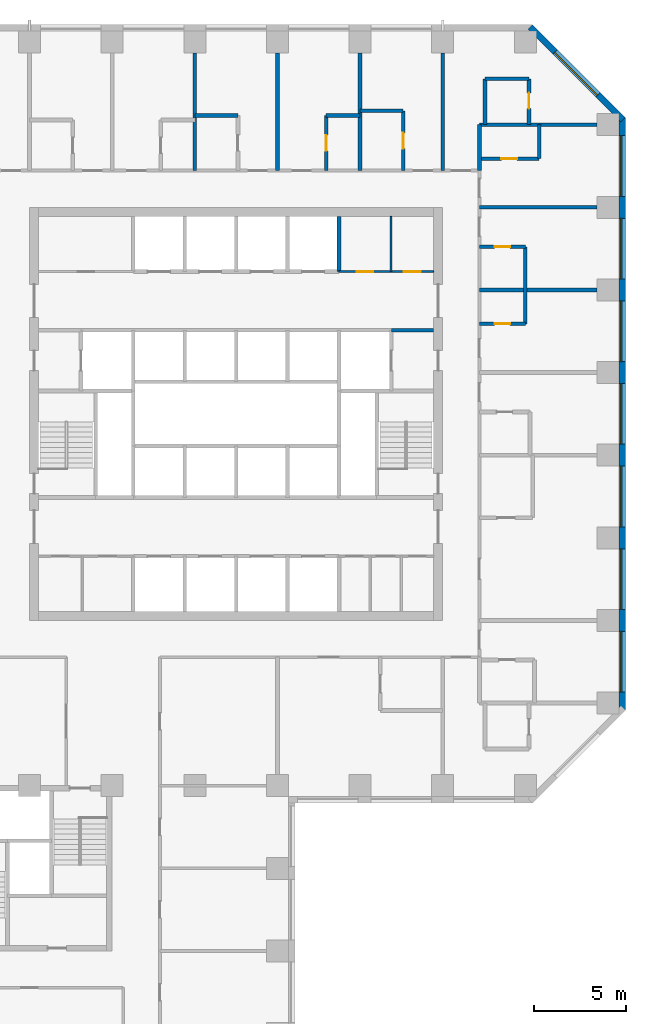
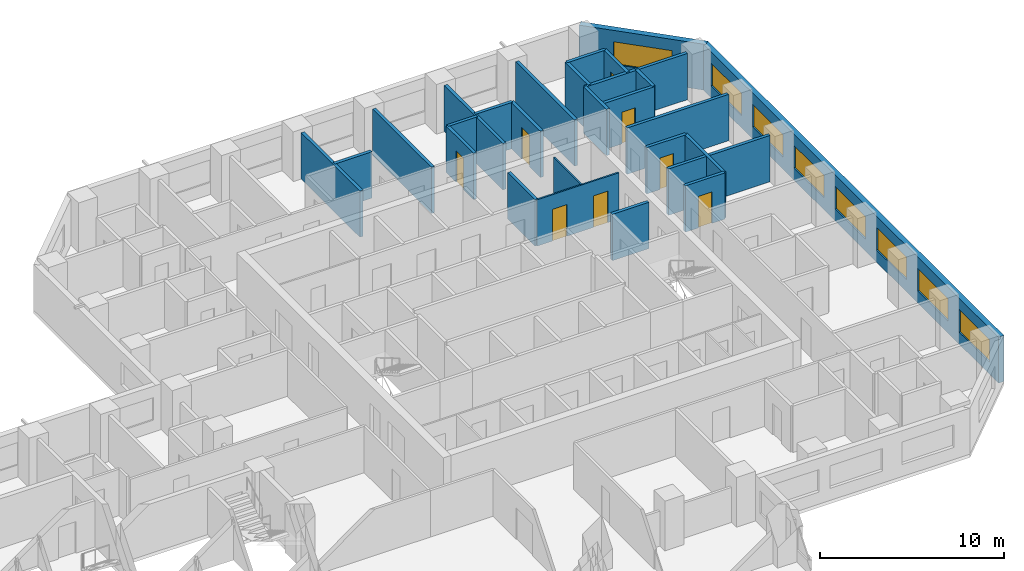
# One storey, part 10 of 13: 27 walls, 8 doors, 8 windows, 16 openings.
"""IFC4 building model written with IfcOpenShell, lengths in metres."""

from ifc_helpers import new_model, si_unit, direction, frame, frame_2d, origin, place, context, subcontext, project, spatial, rectangle, extrude, material, layer, layer_set, constituent, constituent_set, type_object, element, fill, save


model = new_model("IFC4")

# Units and contexts
model_context = context("Model", 3, precision=1e-05, world=origin(), true_north=direction((0.0, 1.0)))
body_context = subcontext(model_context, "Body", "Model", "MODEL_VIEW")
ifc_project = project(units=[si_unit("LENGTHUNIT", "METRE"), si_unit("AREAUNIT", "SQUARE_METRE"), si_unit("VOLUMEUNIT", "CUBIC_METRE"), si_unit("PLANEANGLEUNIT", "RADIAN"), si_unit("MASSUNIT", "GRAM", prefix="KILO")], contexts=[model_context])

# Site, building, storey
site_placement = place(None, origin())
site = spatial("IfcSite", under=ifc_project, at=site_placement, CompositionType="ELEMENT")
building_placement = place(site_placement, origin())
building = spatial("IfcBuilding", under=site, at=building_placement, Name="Quoin Convention Tower", CompositionType="ELEMENT")
storey_placement = place(building_placement, frame((0.0, 0.0, 23.10009765625)))
storey = spatial("IfcBuildingStorey", under=building, at=storey_placement, Name="L04", CompositionType="ELEMENT", Elevation=23.10009765625)

# Wall, openings, windows
ifc_material_1 = material(Name="Brick masonry", Category="masonry")
ifc_layer_1 = layer(ifc_material_1, 0.35009765625)
ifc_layer_set_1 = layer_set([ifc_layer_1], Name="Brick masonry")
wall_type_1 = type_object("IfcWallType", Name="Brick facade wall", PredefinedType="STANDARD", material=ifc_layer_set_1)
wall_1_placement = place(storey_placement, frame((77.27490234375, 44.6064453125, 0.0), z_axis=(0.0, 0.0, 1.0), x_axis=(0.0, 1.0, 0.0)))
wall_1 = element("IfcWall", 1, at=wall_1_placement, inside=storey, type_object=wall_type_1, Name="fw-L04-76500_45000", PredefinedType="STANDARD", context=body_context, shape_type="SweptSolid", body=[
    extrude(rectangle(XDim=32.287109375, YDim=0.35009765625, at=frame_2d((16.1435546875, 0.0))), origin(), (0.0, 0.0, 1.0), 3.054931640625),
])
opening_1_placement = place(wall_1_placement, frame((0.993408203125, 0.0, 0.800048828125)))
opening_1 = element("IfcOpeningElement", 2, at=opening_1_placement, cuts=wall_1, Name="Opening W-01", PredefinedType="OPENING", context=body_context, shape_type="SweptSolid", body=[
    extrude(rectangle(XDim=3.300048828125, YDim=1.5, at=frame_2d((1.64990234375, 0.75))), frame((0.0, 0.18505859375, 0.0), z_axis=(0.0, -1.0, 0.0), x_axis=(1.0, 0.0, 0.0)), (0.0, 0.0, 1.0), 0.3701171875),
])
opening_2_placement = place(wall_1_placement, frame((5.493408203125, 0.0, 0.800048828125)))
opening_2 = element("IfcOpeningElement", 3, at=opening_2_placement, cuts=wall_1, Name="Opening W-01", PredefinedType="OPENING", context=body_context, shape_type="SweptSolid", body=[
    extrude(rectangle(XDim=3.300048828125, YDim=1.5, at=frame_2d((1.64990234375, 0.75))), frame((0.0, 0.18505859375, 0.0), z_axis=(0.0, -1.0, 0.0), x_axis=(1.0, 0.0, 0.0)), (0.0, 0.0, 1.0), 0.3701171875),
])
opening_3_placement = place(wall_1_placement, frame((9.993408203125, 0.0, 0.800048828125)))
opening_3 = element("IfcOpeningElement", 4, at=opening_3_placement, cuts=wall_1, Name="Opening W-01", PredefinedType="OPENING", context=body_context, shape_type="SweptSolid", body=[
    extrude(rectangle(XDim=3.300048828125, YDim=1.5, at=frame_2d((1.64990234375, 0.75))), frame((0.0, 0.18505859375, 0.0), z_axis=(0.0, -1.0, 0.0), x_axis=(1.0, 0.0, 0.0)), (0.0, 0.0, 1.0), 0.3701171875),
])
opening_4_placement = place(wall_1_placement, frame((14.493408203125, 0.0, 0.800048828125)))
opening_4 = element("IfcOpeningElement", 5, at=opening_4_placement, cuts=wall_1, Name="Opening W-01", PredefinedType="OPENING", context=body_context, shape_type="SweptSolid", body=[
    extrude(rectangle(XDim=3.300048828125, YDim=1.5, at=frame_2d((1.64990234375, 0.75))), frame((0.0, 0.18505859375, 0.0), z_axis=(0.0, -1.0, 0.0), x_axis=(1.0, 0.0, 0.0)), (0.0, 0.0, 1.0), 0.3701171875),
])
opening_5_placement = place(wall_1_placement, frame((18.993408203125, 0.0, 0.800048828125)))
opening_5 = element("IfcOpeningElement", 6, at=opening_5_placement, cuts=wall_1, Name="Opening W-01", PredefinedType="OPENING", context=body_context, shape_type="SweptSolid", body=[
    extrude(rectangle(XDim=3.300048828125, YDim=1.5, at=frame_2d((1.64990234375, 0.75))), frame((0.0, 0.18505859375, 0.0), z_axis=(0.0, -1.0, 0.0), x_axis=(1.0, 0.0, 0.0)), (0.0, 0.0, 1.0), 0.3701171875),
])
opening_6_placement = place(wall_1_placement, frame((23.493408203125, 0.0, 0.800048828125)))
opening_6 = element("IfcOpeningElement", 7, at=opening_6_placement, cuts=wall_1, Name="Opening W-01", PredefinedType="OPENING", context=body_context, shape_type="SweptSolid", body=[
    extrude(rectangle(XDim=3.300048828125, YDim=1.5, at=frame_2d((1.64990234375, 0.75))), frame((0.0, 0.18505859375, 0.0), z_axis=(0.0, -1.0, 0.0), x_axis=(1.0, 0.0, 0.0)), (0.0, 0.0, 1.0), 0.3701171875),
])
opening_7_placement = place(wall_1_placement, frame((27.993408203125, 0.0, 0.800048828125)))
opening_7 = element("IfcOpeningElement", 8, at=opening_7_placement, cuts=wall_1, Name="Opening W-01", PredefinedType="OPENING", context=body_context, shape_type="SweptSolid", body=[
    extrude(rectangle(XDim=3.300048828125, YDim=1.5, at=frame_2d((1.64990234375, 0.75))), frame((0.0, 0.18505859375, 0.0), z_axis=(0.0, -1.0, 0.0), x_axis=(1.0, 0.0, 0.0)), (0.0, 0.0, 1.0), 0.3701171875),
])
ifc_material_2 = material(Name="Aluminium", Category="aluminium")
ifc_constituent_1 = constituent(ifc_material_2, Name="Frame")
ifc_material_3 = material(Name="Insulated glass", Category="glass")
ifc_constituent_2 = constituent(ifc_material_3, Name="Glazing")
ifc_constituent_set = constituent_set(constituents=[ifc_constituent_1, ifc_constituent_2], Name="Aluminium")
window_type = type_object("IfcWindowType", Name="Hotel strip window", PartitioningType="DOUBLE_PANEL_VERTICAL", PredefinedType="WINDOW", material=ifc_constituent_set)
window_1_placement = place(opening_1_placement, origin())
window_1 = element("IfcWindow", 9, at=window_1_placement, inside=storey, type_object=window_type, Name="win-L04-77275_47250", OverallHeight=1.5, OverallWidth=3.300048828125, PartitioningType="SINGLE_PANEL", PredefinedType="WINDOW", context=body_context, shape_type="SweptSolid", body=[
    extrude(rectangle(XDim=3.300048828125, YDim=1.5, at=frame_2d((1.64990234375, 0.75))), frame((0.0, 0.0849609375, 0.0), z_axis=(0.0, -1.0, 0.0), x_axis=(1.0, 0.0, 0.0)), (0.0, 0.0, 1.0), 0.06005859375),
])
fill(opening_1, window_1)
window_2_placement = place(opening_2_placement, origin())
window_2 = element("IfcWindow", 10, at=window_2_placement, inside=storey, type_object=window_type, Name="win-L04-77275_51750", OverallHeight=1.5, OverallWidth=3.300048828125, PartitioningType="SINGLE_PANEL", PredefinedType="WINDOW", context=body_context, shape_type="SweptSolid", body=[
    extrude(rectangle(XDim=3.300048828125, YDim=1.5, at=frame_2d((1.64990234375, 0.75))), frame((0.0, 0.0849609375, 0.0), z_axis=(0.0, -1.0, 0.0), x_axis=(1.0, 0.0, 0.0)), (0.0, 0.0, 1.0), 0.06005859375),
])
fill(opening_2, window_2)
window_3_placement = place(opening_3_placement, origin())
window_3 = element("IfcWindow", 11, at=window_3_placement, inside=storey, type_object=window_type, Name="win-L04-77275_56250", OverallHeight=1.5, OverallWidth=3.300048828125, PartitioningType="SINGLE_PANEL", PredefinedType="WINDOW", context=body_context, shape_type="SweptSolid", body=[
    extrude(rectangle(XDim=3.300048828125, YDim=1.5, at=frame_2d((1.64990234375, 0.75))), frame((0.0, 0.0849609375, 0.0), z_axis=(0.0, -1.0, 0.0), x_axis=(1.0, 0.0, 0.0)), (0.0, 0.0, 1.0), 0.06005859375),
])
fill(opening_3, window_3)
window_4_placement = place(opening_4_placement, origin())
window_4 = element("IfcWindow", 12, at=window_4_placement, inside=storey, type_object=window_type, Name="win-L04-77275_60750", OverallHeight=1.5, OverallWidth=3.300048828125, PartitioningType="SINGLE_PANEL", PredefinedType="WINDOW", context=body_context, shape_type="SweptSolid", body=[
    extrude(rectangle(XDim=3.300048828125, YDim=1.5, at=frame_2d((1.64990234375, 0.75))), frame((0.0, 0.0849609375, 0.0), z_axis=(0.0, -1.0, 0.0), x_axis=(1.0, 0.0, 0.0)), (0.0, 0.0, 1.0), 0.06005859375),
])
fill(opening_4, window_4)
window_5_placement = place(opening_5_placement, origin())
window_5 = element("IfcWindow", 13, at=window_5_placement, inside=storey, type_object=window_type, Name="win-L04-77275_65250", OverallHeight=1.5, OverallWidth=3.300048828125, PartitioningType="SINGLE_PANEL", PredefinedType="WINDOW", context=body_context, shape_type="SweptSolid", body=[
    extrude(rectangle(XDim=3.300048828125, YDim=1.5, at=frame_2d((1.64990234375, 0.75))), frame((0.0, 0.0849609375, 0.0), z_axis=(0.0, -1.0, 0.0), x_axis=(1.0, 0.0, 0.0)), (0.0, 0.0, 1.0), 0.06005859375),
])
fill(opening_5, window_5)
window_6_placement = place(opening_6_placement, origin())
window_6 = element("IfcWindow", 14, at=window_6_placement, inside=storey, type_object=window_type, Name="win-L04-77275_69750", OverallHeight=1.5, OverallWidth=3.300048828125, PartitioningType="SINGLE_PANEL", PredefinedType="WINDOW", context=body_context, shape_type="SweptSolid", body=[
    extrude(rectangle(XDim=3.300048828125, YDim=1.5, at=frame_2d((1.64990234375, 0.75))), frame((0.0, 0.0849609375, 0.0), z_axis=(0.0, -1.0, 0.0), x_axis=(1.0, 0.0, 0.0)), (0.0, 0.0, 1.0), 0.06005859375),
])
fill(opening_6, window_6)
window_7_placement = place(opening_7_placement, origin())
window_7 = element("IfcWindow", 15, at=window_7_placement, inside=storey, type_object=window_type, Name="win-L04-77275_74250", OverallHeight=1.5, OverallWidth=3.300048828125, PartitioningType="SINGLE_PANEL", PredefinedType="WINDOW", context=body_context, shape_type="SweptSolid", body=[
    extrude(rectangle(XDim=3.300048828125, YDim=1.5, at=frame_2d((1.64990234375, 0.75))), frame((0.0, 0.0849609375, 0.0), z_axis=(0.0, -1.0, 0.0), x_axis=(1.0, 0.0, 0.0)), (0.0, 0.0, 1.0), 0.06005859375),
])
fill(opening_7, window_7)

# Wall, opening, window
wall_2_placement = place(storey_placement, frame((77.326416015625, 76.769775390625, 0.0), z_axis=(0.0, 0.0, 1.0), x_axis=(-0.707106781187, 0.707106781187, 0.0)))
wall_2 = element("IfcWall", 16, at=wall_2_placement, inside=storey, type_object=wall_type_1, Name="fw-L04-76500_76500", PredefinedType="STANDARD", context=body_context, shape_type="SweptSolid", body=[
    extrude(rectangle(XDim=7.151123046875, YDim=0.35009765625, at=frame_2d((3.57568359375, 0.0))), origin(), (0.0, 0.0, 1.0), 3.054931640625),
])
opening_8_placement = place(wall_2_placement, frame((1.925537109375, 0.0, 0.800048828125)))
opening_8 = element("IfcOpeningElement", 17, at=opening_8_placement, cuts=wall_2, Name="Opening W-01", PredefinedType="OPENING", context=body_context, shape_type="SweptSolid", body=[
    extrude(rectangle(XDim=3.300048828125, YDim=1.5, at=frame_2d((1.64990234375, 0.75))), frame((0.0, 0.18505859375, 0.0), z_axis=(0.0, -1.0, 0.0), x_axis=(1.0, 0.0, 0.0)), (0.0, 0.0, 1.0), 0.3701171875),
])
window_8_placement = place(opening_8_placement, origin())
window_8 = element("IfcWindow", 18, at=window_8_placement, inside=storey, type_object=window_type, Name="win-L04-74798_79298", OverallHeight=1.5, OverallWidth=3.300048828125, PartitioningType="SINGLE_PANEL", PredefinedType="WINDOW", context=body_context, shape_type="SweptSolid", body=[
    extrude(rectangle(XDim=3.300048828125, YDim=1.5, at=frame_2d((1.64990234375, 0.75))), frame((0.0, 0.0849609375, 0.0), z_axis=(0.0, -1.0, 0.0), x_axis=(1.0, 0.0, 0.0)), (0.0, 0.0, 1.0), 0.06005859375),
])
fill(opening_8, window_8)

# Wall, openings, doors
ifc_material_4 = material(Name="Plasterboard")
ifc_layer_2 = layer(ifc_material_4, 0.012451171875, Name="Finish")
ifc_material_5 = material(Name="Steel stud framing", Category="steel")
ifc_layer_3 = layer(ifc_material_5, 0.074951171875, Name="Structure")
ifc_layer_4 = layer(ifc_material_4, 0.012451171875, Name="Finish")
ifc_layer_set_2 = layer_set([ifc_layer_2, ifc_layer_3, ifc_layer_4], Name="Steel stud framing")
wall_type_2 = type_object("IfcWallType", Name="Core partition wall", PredefinedType="PARTITIONING", material=ifc_layer_set_2)
wall_3_placement = place(storey_placement, frame((61.85009765625, 68.5, 0.0), z_axis=(0.0, 0.0, 1.0), x_axis=(1.0, 0.0, 0.0)))
wall_3 = element("IfcWall", 19, at=wall_3_placement, inside=storey, type_object=wall_type_2, Name="cr-C1-L04-h19000_16850", PredefinedType="PARTITIONING", context=body_context, shape_type="SweptSolid", body=[
    extrude(rectangle(XDim=5.14990234375, YDim=0.10009765625, at=frame_2d((2.574951171875, 0.0))), origin(), (0.0, 0.0, 1.0), 3.079833984375),
])
opening_9_placement = place(wall_3_placement, frame((3.541259765625, 0.0, 0.0)))
opening_9 = element("IfcOpeningElement", 20, at=opening_9_placement, cuts=wall_3, Name="Opening DCV2-03", PredefinedType="OPENING", context=body_context, shape_type="SweptSolid", body=[
    extrude(rectangle(XDim=0.89990234375, YDim=2.10009765625, at=frame_2d((0.449951171875, 1.050048828125))), frame((0.0, 0.06005859375, 0.0), z_axis=(0.0, -1.0, 0.0), x_axis=(1.0, 0.0, 0.0)), (0.0, 0.0, 1.0), 0.1201171875),
])
opening_10_placement = place(wall_3_placement, frame((0.96630859375, 0.0, 0.0)))
opening_10 = element("IfcOpeningElement", 21, at=opening_10_placement, cuts=wall_3, Name="Opening DCV2-01", PredefinedType="OPENING", context=body_context, shape_type="SweptSolid", body=[
    extrude(rectangle(XDim=0.89990234375, YDim=2.10009765625, at=frame_2d((0.449951171875, 1.050048828125))), frame((0.0, 0.06005859375, 0.0), z_axis=(0.0, -1.0, 0.0), x_axis=(1.0, 0.0, 0.0)), (0.0, 0.0, 1.0), 0.1201171875),
])
ifc_material_6 = material(Name="Steel door leaf", Category="steel")
door_type_1 = type_object("IfcDoorType", Name="Core room door 900 x 2100", OperationType="SINGLE_SWING_LEFT", PredefinedType="DOOR", material=ifc_material_6)
door_1_placement = place(opening_9_placement, origin())
door_1 = element("IfcDoor", 22, at=door_1_placement, inside=storey, type_object=door_type_1, Name="cd-C1-L04-CNE0-lobB-CD0407", OperationType="SINGLE_SWING_RIGHT", OverallHeight=2.10009765625, OverallWidth=0.89990234375, PredefinedType="DOOR", context=body_context, shape_type="SweptSolid", body=[
    extrude(rectangle(XDim=0.89990234375, YDim=2.10009765625, at=frame_2d((0.449951171875, 1.050048828125))), frame((0.0, 0.02490234375, 0.0), z_axis=(0.0, -1.0, 0.0), x_axis=(1.0, 0.0, 0.0)), (0.0, 0.0, 1.0), 0.050048828125),
])
fill(opening_9, door_1)
door_2_placement = place(opening_10_placement, origin())
door_2 = element("IfcDoor", 23, at=door_2_placement, inside=storey, type_object=door_type_1, Name="cd-C1-L04-CNE1-lobB-CD0408", OperationType="SINGLE_SWING_LEFT", OverallHeight=2.10009765625, OverallWidth=0.89990234375, PredefinedType="DOOR", context=body_context, shape_type="SweptSolid", body=[
    extrude(rectangle(XDim=0.89990234375, YDim=2.10009765625, at=frame_2d((0.449951171875, 1.050048828125))), frame((0.0, 0.02490234375, 0.0), z_axis=(0.0, -1.0, 0.0), x_axis=(1.0, 0.0, 0.0)), (0.0, 0.0, 1.0), 0.050048828125),
])
fill(opening_10, door_2)

# Walls
wall_4_placement = place(storey_placement, frame((64.6826171875, 68.5, 0.0), z_axis=(0.0, 0.0, 1.0), x_axis=(0.0, 1.0, 0.0)))
element("IfcWall", 24, at=wall_4_placement, inside=storey, type_object=wall_type_2, Name="cr-C1-L04-v19682_19000", PredefinedType="PARTITIONING", context=body_context, shape_type="SweptSolid", body=[
    extrude(rectangle(XDim=3.0, YDim=0.10009765625, at=frame_2d((1.5, 0.0))), origin(), (0.0, 0.0, 1.0), 3.079833984375),
])
ifc_material_7 = material(Name="Concrete C50", Category="concrete")
ifc_layer_5 = layer(ifc_material_7, 0.199951171875)
ifc_layer_set_3 = layer_set([ifc_layer_5], Name="Concrete C50")
wall_type_3 = type_object("IfcWallType", Name="Core shaft wall", PredefinedType="SOLIDWALL", material=ifc_layer_set_3)
wall_5_placement = place(storey_placement, frame((64.699951171875, 65.300048828125, 0.0), z_axis=(0.0, 0.0, 1.0), x_axis=(1.0, 0.0, 0.0)))
element("IfcWall", 25, at=wall_5_placement, inside=storey, type_object=wall_type_3, Name="cr-C1-L04-h15800_19700", PredefinedType="SOLIDWALL", context=body_context, shape_type="SweptSolid", body=[
    extrude(rectangle(XDim=2.300048828125, YDim=0.199951171875, at=frame_2d((1.14990234375, 0.0))), origin(), (0.0, 0.0, 1.0), 3.079833984375),
])
wall_6_placement = place(storey_placement, frame((61.85009765625, 68.5, 0.0), z_axis=(0.0, 0.0, 1.0), x_axis=(0.0, 1.0, 0.0)))
element("IfcWall", 26, at=wall_6_placement, inside=storey, type_object=wall_type_3, Name="cr-C1-L04-v16850_19000", PredefinedType="SOLIDWALL", context=body_context, shape_type="SweptSolid", body=[
    extrude(rectangle(XDim=3.0, YDim=0.199951171875, at=frame_2d((1.5, 0.0))), origin(), (0.0, 0.0, 1.0), 3.079833984375),
])

# Wall, opening, door
ifc_layer_6 = layer(ifc_material_7, 0.199951171875)
ifc_layer_set_4 = layer_set([ifc_layer_6], Name="Concrete C50")
wall_type_4 = type_object("IfcWallType", Name="RC party wall", PredefinedType="SOLIDWALL", material=ifc_layer_set_4)
wall_7_placement = place(storey_placement, frame((69.5, 65.64990234375, 0.0), z_axis=(0.0, 0.0, 1.0), x_axis=(1.0, 0.0, 0.0)))
wall_7 = element("IfcWall", 27, at=wall_7_placement, inside=storey, type_object=wall_type_4, Name="pw-L04-101", PredefinedType="SOLIDWALL", context=body_context, shape_type="SweptSolid", body=[
    extrude(rectangle(XDim=2.5, YDim=0.199951171875, at=frame_2d((1.25, 0.0))), origin(), (0.0, 0.0, 1.0), 3.079833984375),
])
opening_11_placement = place(wall_7_placement, frame((0.824951171875, 0.0, 0.0)))
opening_11 = element("IfcOpeningElement", 28, at=opening_11_placement, cuts=wall_7, Name="Opening DHOTEL-M-62", PredefinedType="OPENING", context=body_context, shape_type="SweptSolid", body=[
    extrude(rectangle(XDim=0.85009765625, YDim=2.10009765625, at=frame_2d((0.425048828125, 1.050048828125))), frame((0.0, 0.10986328125, 0.0), z_axis=(0.0, -1.0, 0.0), x_axis=(1.0, 0.0, 0.0)), (0.0, 0.0, 1.0), 0.219970703125),
])
door_type_2 = type_object("IfcDoorType", Name="Bathroom door", OperationType="SINGLE_SWING_LEFT", PredefinedType="DOOR", material=ifc_material_6)
door_3_placement = place(opening_11_placement, frame((0.85009765625, 0.0, 0.0), z_axis=(0.0, 0.0, 1.0), x_axis=(-1.0, 0.0, 0.0)))
door_3 = element("IfcDoor", 29, at=door_3_placement, inside=storey, type_object=door_type_2, Name="dr-L04-052", OperationType="SINGLE_SWING_RIGHT", OverallHeight=2.10009765625, OverallWidth=0.85009765625, PredefinedType="DOOR", context=body_context, shape_type="SweptSolid", body=[
    extrude(rectangle(XDim=0.85009765625, YDim=2.10009765625, at=frame_2d((0.425048828125, 1.050048828125))), frame((0.0, 0.02490234375, 0.0), z_axis=(0.0, -1.0, 0.0), x_axis=(1.0, 0.0, 0.0)), (0.0, 0.0, 1.0), 0.050048828125),
])
fill(opening_11, door_3)

# Walls
wall_8_placement = place(storey_placement, frame((72.0, 65.64990234375, 0.0), z_axis=(0.0, 0.0, 1.0), x_axis=(0.0, 1.0, 0.0)))
element("IfcWall", 30, at=wall_8_placement, inside=storey, type_object=wall_type_4, Name="pw-L04-102", PredefinedType="SOLIDWALL", context=body_context, shape_type="SweptSolid", body=[
    extrude(rectangle(XDim=4.2001953125, YDim=0.199951171875, at=frame_2d((2.10009765625, 0.0))), origin(), (0.0, 0.0, 1.0), 3.079833984375),
])
wall_9_placement = place(storey_placement, frame((69.5, 67.5, 0.0), z_axis=(0.0, 0.0, 1.0), x_axis=(1.0, 0.0, 0.0)))
element("IfcWall", 31, at=wall_9_placement, inside=storey, type_object=wall_type_4, Name="pw-L04-104", PredefinedType="SOLIDWALL", context=body_context, shape_type="SweptSolid", body=[
    extrude(rectangle(XDim=6.39990234375, YDim=0.199951171875, at=frame_2d((3.199951171875, 0.0))), origin(), (0.0, 0.0, 1.0), 3.079833984375),
])

# Wall, opening, door
wall_10_placement = place(storey_placement, frame((69.5, 69.85009765625, 0.0), z_axis=(0.0, 0.0, 1.0), x_axis=(1.0, 0.0, 0.0)))
wall_10 = element("IfcWall", 32, at=wall_10_placement, inside=storey, type_object=wall_type_4, Name="pw-L04-107", PredefinedType="SOLIDWALL", context=body_context, shape_type="SweptSolid", body=[
    extrude(rectangle(XDim=2.5, YDim=0.199951171875, at=frame_2d((1.25, 0.0))), origin(), (0.0, 0.0, 1.0), 3.079833984375),
])
opening_12_placement = place(wall_10_placement, frame((0.824951171875, 0.0, 0.0)))
opening_12 = element("IfcOpeningElement", 33, at=opening_12_placement, cuts=wall_10, Name="Opening DHOTEL-M-64", PredefinedType="OPENING", context=body_context, shape_type="SweptSolid", body=[
    extrude(rectangle(XDim=0.85009765625, YDim=2.10009765625, at=frame_2d((0.425048828125, 1.050048828125))), frame((0.0, 0.10986328125, 0.0), z_axis=(0.0, -1.0, 0.0), x_axis=(1.0, 0.0, 0.0)), (0.0, 0.0, 1.0), 0.219970703125),
])
door_4_placement = place(opening_12_placement, frame((0.85009765625, 0.0, 0.0), z_axis=(0.0, 0.0, 1.0), x_axis=(-1.0, 0.0, 0.0)))
door_4 = element("IfcDoor", 34, at=door_4_placement, inside=storey, type_object=door_type_2, Name="dr-L04-050", OperationType="SINGLE_SWING_RIGHT", OverallHeight=2.10009765625, OverallWidth=0.85009765625, PredefinedType="DOOR", context=body_context, shape_type="SweptSolid", body=[
    extrude(rectangle(XDim=0.85009765625, YDim=2.10009765625, at=frame_2d((0.425048828125, 1.050048828125))), frame((0.0, 0.02490234375, 0.0), z_axis=(0.0, -1.0, 0.0), x_axis=(1.0, 0.0, 0.0)), (0.0, 0.0, 1.0), 0.050048828125),
])
fill(opening_12, door_4)

# Walls
for number, where, z_axis, x_axis, name in (
    (35, (69.5, 72.0, 0.0), (0.0, 0.0, 1.0), (1.0, 0.0, 0.0), "pw-L04-109"),
    (36, (54.0, 74.0, 0.0), (0.0, 0.0, 1.0), (0.0, 1.0, 0.0), "pw-L04-115"),
    (37, (58.5, 74.0, 0.0), (0.0, 0.0, 1.0), (0.0, 1.0, 0.0), "pw-L04-117"),
):
    element("IfcWall", number, at=place(storey_placement, frame(where, z_axis=z_axis, x_axis=x_axis)), inside=storey, type_object=wall_type_4, Name=name, PredefinedType="SOLIDWALL", context=body_context, shape_type="SweptSolid", body=[
        extrude(rectangle(XDim=6.39990234375, YDim=0.199951171875, at=frame_2d((3.199951171875, 0.0))), origin(), (0.0, 0.0, 1.0), 3.079833984375),
    ])

# Wall, opening, door
wall_11_placement = place(storey_placement, frame((61.14990234375, 74.0, 0.0), z_axis=(0.0, 0.0, 1.0), x_axis=(0.0, 1.0, 0.0)))
wall_11 = element("IfcWall", 38, at=wall_11_placement, inside=storey, type_object=wall_type_4, Name="pw-L04-118", PredefinedType="SOLIDWALL", context=body_context, shape_type="SweptSolid", body=[
    extrude(rectangle(XDim=3.0, YDim=0.199951171875, at=frame_2d((1.5, 0.0))), origin(), (0.0, 0.0, 1.0), 3.079833984375),
])
opening_13_placement = place(wall_11_placement, frame((1.074951171875, 0.0, 0.0)))
opening_13 = element("IfcOpeningElement", 39, at=opening_13_placement, cuts=wall_11, Name="Opening DHOTEL-M-68", PredefinedType="OPENING", context=body_context, shape_type="SweptSolid", body=[
    extrude(rectangle(XDim=0.85009765625, YDim=2.10009765625, at=frame_2d((0.425048828125, 1.050048828125))), frame((0.0, 0.10986328125, 0.0), z_axis=(0.0, -1.0, 0.0), x_axis=(1.0, 0.0, 0.0)), (0.0, 0.0, 1.0), 0.219970703125),
])
door_5_placement = place(opening_13_placement, origin())
door_5 = element("IfcDoor", 40, at=door_5_placement, inside=storey, type_object=door_type_2, Name="dr-L04-044", OperationType="SINGLE_SWING_LEFT", OverallHeight=2.10009765625, OverallWidth=0.85009765625, PredefinedType="DOOR", context=body_context, shape_type="SweptSolid", body=[
    extrude(rectangle(XDim=0.85009765625, YDim=2.10009765625, at=frame_2d((0.425048828125, 1.050048828125))), frame((0.0, 0.02490234375, 0.0), z_axis=(0.0, -1.0, 0.0), x_axis=(1.0, 0.0, 0.0)), (0.0, 0.0, 1.0), 0.050048828125),
])
fill(opening_13, door_5)

# Wall
wall_12_placement = place(storey_placement, frame((63.0, 74.0, 0.0), z_axis=(0.0, 0.0, 1.0), x_axis=(0.0, 1.0, 0.0)))
element("IfcWall", 41, at=wall_12_placement, inside=storey, type_object=wall_type_4, Name="pw-L04-119", PredefinedType="SOLIDWALL", context=body_context, shape_type="SweptSolid", body=[
    extrude(rectangle(XDim=6.39990234375, YDim=0.199951171875, at=frame_2d((3.199951171875, 0.0))), origin(), (0.0, 0.0, 1.0), 3.079833984375),
])

# Wall, opening, door
wall_13_placement = place(storey_placement, frame((65.35009765625, 74.0, 0.0), z_axis=(0.0, 0.0, 1.0), x_axis=(0.0, 1.0, 0.0)))
wall_13 = element("IfcWall", 42, at=wall_13_placement, inside=storey, type_object=wall_type_4, Name="pw-L04-120", PredefinedType="SOLIDWALL", context=body_context, shape_type="SweptSolid", body=[
    extrude(rectangle(XDim=3.25, YDim=0.199951171875, at=frame_2d((1.625, 0.0))), origin(), (0.0, 0.0, 1.0), 3.079833984375),
])
opening_14_placement = place(wall_13_placement, frame((1.199951171875, 0.0, 0.0)))
opening_14 = element("IfcOpeningElement", 43, at=opening_14_placement, cuts=wall_13, Name="Opening DHOTEL-M-69", PredefinedType="OPENING", context=body_context, shape_type="SweptSolid", body=[
    extrude(rectangle(XDim=0.85009765625, YDim=2.10009765625, at=frame_2d((0.425048828125, 1.050048828125))), frame((0.0, 0.10986328125, 0.0), z_axis=(0.0, -1.0, 0.0), x_axis=(1.0, 0.0, 0.0)), (0.0, 0.0, 1.0), 0.219970703125),
])
door_6_placement = place(opening_14_placement, frame((0.85009765625, 0.0, 0.0), z_axis=(0.0, 0.0, 1.0), x_axis=(-1.0, 0.0, 0.0)))
door_6 = element("IfcDoor", 44, at=door_6_placement, inside=storey, type_object=door_type_2, Name="dr-L04-046", OperationType="SINGLE_SWING_RIGHT", OverallHeight=2.10009765625, OverallWidth=0.85009765625, PredefinedType="DOOR", context=body_context, shape_type="SweptSolid", body=[
    extrude(rectangle(XDim=0.85009765625, YDim=2.10009765625, at=frame_2d((0.425048828125, 1.050048828125))), frame((0.0, 0.02490234375, 0.0), z_axis=(0.0, -1.0, 0.0), x_axis=(1.0, 0.0, 0.0)), (0.0, 0.0, 1.0), 0.050048828125),
])
fill(opening_14, door_6)

# Walls
wall_14_placement = place(storey_placement, frame((67.5, 74.0, 0.0), z_axis=(0.0, 0.0, 1.0), x_axis=(0.0, 1.0, 0.0)))
element("IfcWall", 45, at=wall_14_placement, inside=storey, type_object=wall_type_4, Name="pw-L04-121", PredefinedType="SOLIDWALL", context=body_context, shape_type="SweptSolid", body=[
    extrude(rectangle(XDim=6.39990234375, YDim=0.199951171875, at=frame_2d((3.199951171875, 0.0))), origin(), (0.0, 0.0, 1.0), 3.079833984375),
])
wall_15_placement = place(storey_placement, frame((69.5, 74.0, 0.0), z_axis=(0.0, 0.0, 1.0), x_axis=(0.0, 1.0, 0.0)))
element("IfcWall", 46, at=wall_15_placement, inside=storey, type_object=wall_type_4, Name="pw-L04-122", PredefinedType="SOLIDWALL", context=body_context, shape_type="SweptSolid", body=[
    extrude(rectangle(XDim=2.5, YDim=0.199951171875, at=frame_2d((1.25, 0.0))), origin(), (0.0, 0.0, 1.0), 3.079833984375),
])

# Wall, opening, door
wall_16_placement = place(storey_placement, frame((69.5, 74.64990234375, 0.0), z_axis=(0.0, 0.0, 1.0), x_axis=(1.0, 0.0, 0.0)))
wall_16 = element("IfcWall", 47, at=wall_16_placement, inside=storey, type_object=wall_type_4, Name="pw-L04-125", PredefinedType="SOLIDWALL", context=body_context, shape_type="SweptSolid", body=[
    extrude(rectangle(XDim=3.25, YDim=0.199951171875, at=frame_2d((1.625, 0.0))), origin(), (0.0, 0.0, 1.0), 3.079833984375),
])
opening_15_placement = place(wall_16_placement, frame((1.199951171875, 0.0, 0.0)))
opening_15 = element("IfcOpeningElement", 48, at=opening_15_placement, cuts=wall_16, Name="Opening DHOTEL-M-71", PredefinedType="OPENING", context=body_context, shape_type="SweptSolid", body=[
    extrude(rectangle(XDim=0.85009765625, YDim=2.10009765625, at=frame_2d((0.425048828125, 1.050048828125))), frame((0.0, 0.10986328125, 0.0), z_axis=(0.0, -1.0, 0.0), x_axis=(1.0, 0.0, 0.0)), (0.0, 0.0, 1.0), 0.219970703125),
])
door_7_placement = place(opening_15_placement, frame((0.85009765625, 0.0, 0.0), z_axis=(0.0, 0.0, 1.0), x_axis=(-1.0, 0.0, 0.0)))
door_7 = element("IfcDoor", 49, at=door_7_placement, inside=storey, type_object=door_type_2, Name="dr-L04-048", OperationType="SINGLE_SWING_RIGHT", OverallHeight=2.10009765625, OverallWidth=0.85009765625, PredefinedType="DOOR", context=body_context, shape_type="SweptSolid", body=[
    extrude(rectangle(XDim=0.85009765625, YDim=2.10009765625, at=frame_2d((0.425048828125, 1.050048828125))), frame((0.0, 0.02490234375, 0.0), z_axis=(0.0, -1.0, 0.0), x_axis=(1.0, 0.0, 0.0)), (0.0, 0.0, 1.0), 0.050048828125),
])
fill(opening_15, door_7)

# Walls
wall_17_placement = place(storey_placement, frame((72.75, 74.64990234375, 0.0), z_axis=(0.0, 0.0, 1.0), x_axis=(0.0, 1.0, 0.0)))
element("IfcWall", 50, at=wall_17_placement, inside=storey, type_object=wall_type_4, Name="pw-L04-126", PredefinedType="SOLIDWALL", context=body_context, shape_type="SweptSolid", body=[
    extrude(rectangle(XDim=1.85009765625, YDim=0.199951171875, at=frame_2d((0.925048828125, 0.0))), origin(), (0.0, 0.0, 1.0), 3.079833984375),
])
wall_18_placement = place(storey_placement, frame((69.5, 76.5, 0.0), z_axis=(0.0, 0.0, 1.0), x_axis=(1.0, 0.0, 0.0)))
element("IfcWall", 51, at=wall_18_placement, inside=storey, type_object=wall_type_4, Name="pw-L04-130", PredefinedType="SOLIDWALL", context=body_context, shape_type="SweptSolid", body=[
    extrude(rectangle(XDim=6.39990234375, YDim=0.199951171875, at=frame_2d((3.199951171875, 0.0))), origin(), (0.0, 0.0, 1.0), 3.079833984375),
])
wall_19_placement = place(storey_placement, frame((69.800048828125, 76.5, 0.0), z_axis=(0.0, 0.0, 1.0), x_axis=(0.0, 1.0, 0.0)))
element("IfcWall", 52, at=wall_19_placement, inside=storey, type_object=wall_type_4, Name="pw-L04-131", PredefinedType="SOLIDWALL", context=body_context, shape_type="SweptSolid", body=[
    extrude(rectangle(XDim=2.5, YDim=0.199951171875, at=frame_2d((1.25, 0.0))), origin(), (0.0, 0.0, 1.0), 3.079833984375),
])

# Wall, opening, door
wall_20_placement = place(storey_placement, frame((72.199951171875, 76.5, 0.0), z_axis=(0.0, 0.0, 1.0), x_axis=(0.0, 1.0, 0.0)))
wall_20 = element("IfcWall", 53, at=wall_20_placement, inside=storey, type_object=wall_type_4, Name="pw-L04-132", PredefinedType="SOLIDWALL", context=body_context, shape_type="SweptSolid", body=[
    extrude(rectangle(XDim=2.5, YDim=0.199951171875, at=frame_2d((1.25, 0.0))), origin(), (0.0, 0.0, 1.0), 3.079833984375),
])
opening_16_placement = place(wall_20_placement, frame((0.875, 0.0, 0.0)))
opening_16 = element("IfcOpeningElement", 54, at=opening_16_placement, cuts=wall_20, Name="Opening DHOTEL-M-73", PredefinedType="OPENING", context=body_context, shape_type="SweptSolid", body=[
    extrude(rectangle(XDim=0.85009765625, YDim=2.10009765625, at=frame_2d((0.425048828125, 1.050048828125))), frame((0.0, 0.10986328125, 0.0), z_axis=(0.0, -1.0, 0.0), x_axis=(1.0, 0.0, 0.0)), (0.0, 0.0, 1.0), 0.219970703125),
])
door_8_placement = place(opening_16_placement, frame((0.85009765625, 0.0, 0.0), z_axis=(0.0, 0.0, 1.0), x_axis=(-1.0, 0.0, 0.0)))
door_8 = element("IfcDoor", 55, at=door_8_placement, inside=storey, type_object=door_type_2, Name="dr-L04-070", OperationType="SINGLE_SWING_LEFT", OverallHeight=2.10009765625, OverallWidth=0.85009765625, PredefinedType="DOOR", context=body_context, shape_type="SweptSolid", body=[
    extrude(rectangle(XDim=0.85009765625, YDim=2.10009765625, at=frame_2d((0.425048828125, 1.050048828125))), frame((0.0, 0.02490234375, 0.0), z_axis=(0.0, -1.0, 0.0), x_axis=(1.0, 0.0, 0.0)), (0.0, 0.0, 1.0), 0.050048828125),
])
fill(opening_16, door_8)

# Walls
wall_21_placement = place(storey_placement, frame((54.0, 77.0, 0.0), z_axis=(0.0, 0.0, 1.0), x_axis=(1.0, 0.0, 0.0)))
element("IfcWall", 56, at=wall_21_placement, inside=storey, type_object=wall_type_4, Name="pw-L04-135", PredefinedType="SOLIDWALL", context=body_context, shape_type="SweptSolid", body=[
    extrude(rectangle(XDim=2.35009765625, YDim=0.199951171875, at=frame_2d((1.175048828125, 0.0))), origin(), (0.0, 0.0, 1.0), 3.079833984375),
])
wall_22_placement = place(storey_placement, frame((61.14990234375, 77.0, 0.0), z_axis=(0.0, 0.0, 1.0), x_axis=(1.0, 0.0, 0.0)))
element("IfcWall", 57, at=wall_22_placement, inside=storey, type_object=wall_type_4, Name="pw-L04-136", PredefinedType="SOLIDWALL", context=body_context, shape_type="SweptSolid", body=[
    extrude(rectangle(XDim=1.85009765625, YDim=0.199951171875, at=frame_2d((0.925048828125, 0.0))), origin(), (0.0, 0.0, 1.0), 3.079833984375),
])
wall_23_placement = place(storey_placement, frame((63.0, 77.25, 0.0), z_axis=(0.0, 0.0, 1.0), x_axis=(1.0, 0.0, 0.0)))
element("IfcWall", 58, at=wall_23_placement, inside=storey, type_object=wall_type_4, Name="pw-L04-137", PredefinedType="SOLIDWALL", context=body_context, shape_type="SweptSolid", body=[
    extrude(rectangle(XDim=2.35009765625, YDim=0.199951171875, at=frame_2d((1.175048828125, 0.0))), origin(), (0.0, 0.0, 1.0), 3.079833984375),
])
wall_24_placement = place(storey_placement, frame((69.800048828125, 79.0, 0.0), z_axis=(0.0, 0.0, 1.0), x_axis=(1.0, 0.0, 0.0)))
element("IfcWall", 59, at=wall_24_placement, inside=storey, type_object=wall_type_4, Name="pw-L04-139", PredefinedType="SOLIDWALL", context=body_context, shape_type="SweptSolid", body=[
    extrude(rectangle(XDim=2.39990234375, YDim=0.199951171875, at=frame_2d((1.199951171875, 0.0))), origin(), (0.0, 0.0, 1.0), 3.079833984375),
])

save(model, "model.ifc")
